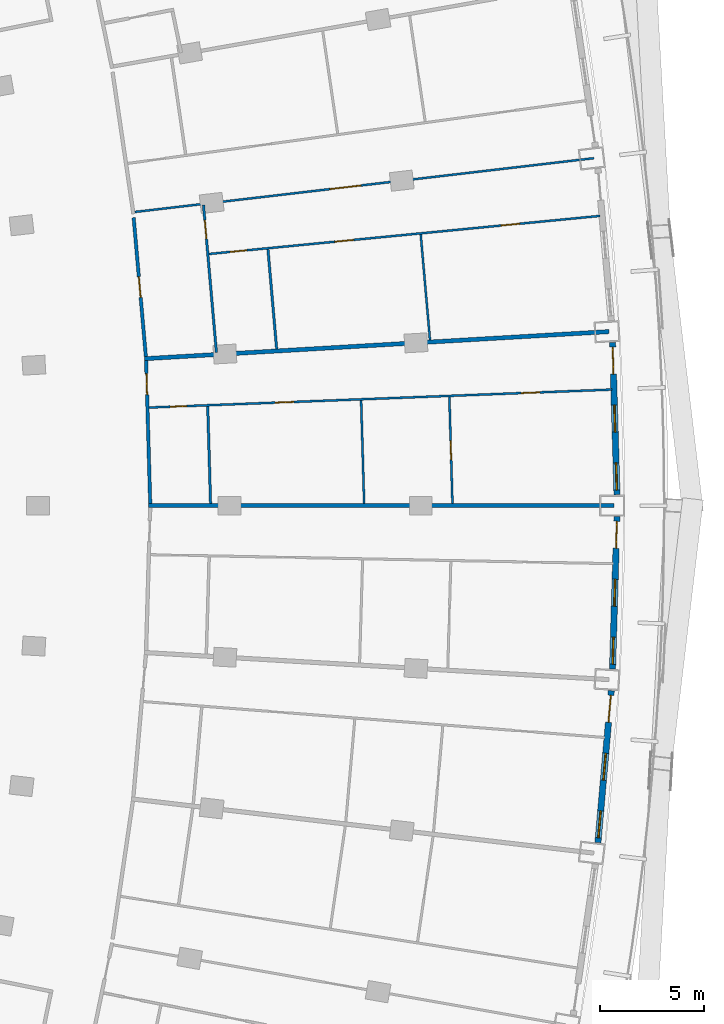
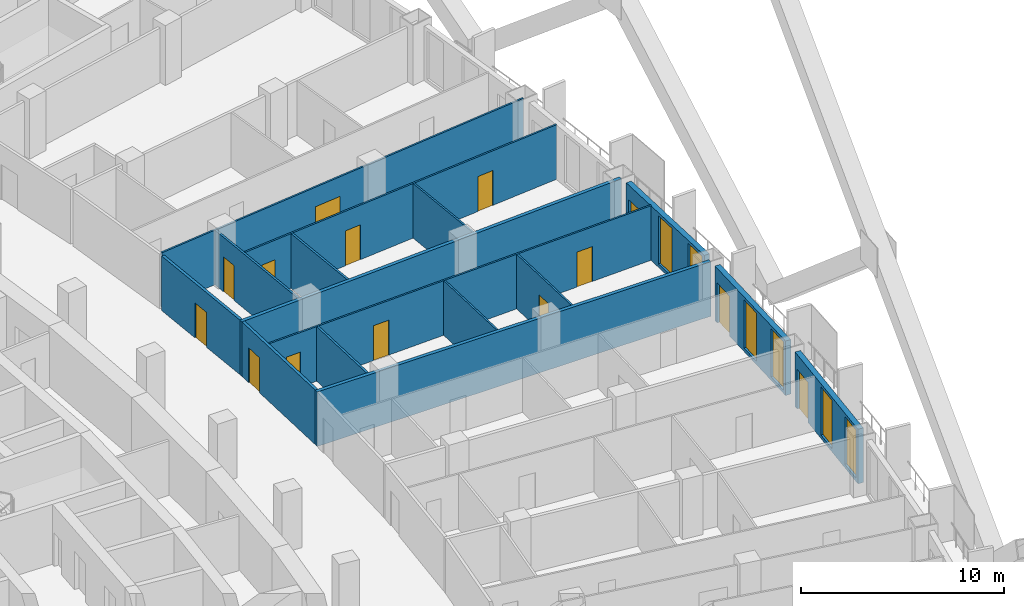
# One storey, part 18 of 25: 16 walls, 14 doors, 6 windows, 20 openings.
"""IFC4 building model written with IfcOpenShell, lengths in metres."""

from ifc_helpers import new_model, si_unit, direction, frame, frame_2d, origin, place, context, subcontext, project, spatial, rectangle, extrude, material, layer, layer_set, type_object, element, fill, save


model = new_model("IFC4")

# Units and contexts
model_context = context("Model", 3, precision=1e-05, world=origin(), true_north=direction((0.0, 1.0)))
body_context = subcontext(model_context, "Body", "Model", "MODEL_VIEW")
ifc_project = project(units=[si_unit("LENGTHUNIT", "METRE"), si_unit("AREAUNIT", "SQUARE_METRE"), si_unit("VOLUMEUNIT", "CUBIC_METRE"), si_unit("PLANEANGLEUNIT", "RADIAN"), si_unit("MASSUNIT", "GRAM", prefix="KILO")], contexts=[model_context])

# Site, building, storey
site_placement = place(None, origin())
site = spatial("IfcSite", under=ifc_project, at=site_placement, CompositionType="ELEMENT")
building_placement = place(site_placement, origin())
building = spatial("IfcBuilding", under=site, at=building_placement, Name="Alderwake Tower", CompositionType="ELEMENT")
storey_placement = place(building_placement, frame((0.0, 0.0, 32.0)))
storey = spatial("IfcBuildingStorey", under=building, at=storey_placement, Name="L06", CompositionType="ELEMENT", Elevation=32.0)

# Wall, opening, door
ifc_material_1 = material(Name="Gypsum board on metal studs, rated")
ifc_layer_1 = layer(ifc_material_1, 0.159912109375)
ifc_layer_set_1 = layer_set([ifc_layer_1], Name="Corridor wall 160")
wall_type_1 = type_object("IfcWallType", Name="Corridor wall 160", PredefinedType="PARTITIONING", material=ifc_layer_set_1)
wall_1_placement = place(storey_placement, frame((40.400390625, 74.84228515625, 0.0), z_axis=(0.0, 0.0, 1.0), x_axis=(0.087437661692, -0.996169993183, 0.0)))
wall_1 = element("IfcWall", 1, at=wall_1_placement, inside=storey, type_object=wall_type_1, Name="WL/L06/W40", PredefinedType="PARTITIONING", context=body_context, shape_type="SweptSolid", body=[
    extrude(rectangle(XDim=6.701171875, YDim=0.159912109375, at=frame_2d((3.3505859375, 0.0))), origin(), (0.0, 0.0, 1.0), 3.280029296875),
])
opening_1_placement = place(wall_1_placement, frame((2.8505859375, 0.0, 0.0)))
opening_1 = element("IfcOpeningElement", 2, at=opening_1_placement, cuts=wall_1, Name="Opening R01-U09.2", PredefinedType="OPENING", context=body_context, shape_type="SweptSolid", body=[
    extrude(rectangle(XDim=1.0, YDim=2.10009765625, at=frame_2d((0.5, 1.050048828125))), frame((0.0, 0.08984375, 0.0), z_axis=(0.0, -1.0, 0.0), x_axis=(1.0, 0.0, 0.0)), (0.0, 0.0, 1.0), 0.179931640625),
])
ifc_material_2 = material(Name="Solid timber leaf in steel frame", Category="steel")
door_type_1 = type_object("IfcDoorType", Name="Flat entrance door 1000 fire-rated", OperationType="SINGLE_SWING_LEFT", PredefinedType="DOOR", material=ifc_material_2)
door_1_placement = place(opening_1_placement, origin())
door_1 = element("IfcDoor", 3, at=door_1_placement, inside=storey, type_object=door_type_1, Name="DR/L06/U09.2", OperationType="SINGLE_SWING_LEFT", OverallHeight=2.10009765625, OverallWidth=1.0, PredefinedType="DOOR", context=body_context, shape_type="SweptSolid", body=[
    extrude(rectangle(XDim=1.0, YDim=2.10009765625, at=frame_2d((0.5, 1.050048828125))), frame((0.0, 0.02490234375, 0.0), z_axis=(0.0, -1.0, 0.0), x_axis=(1.0, 0.0, 0.0)), (0.0, 0.0, 1.0), 0.050048828125),
])
fill(opening_1, door_1)

wall_2_placement = place(storey_placement, frame((40.997802734375, 67.967041015625, 0.0), z_axis=(0.0, 0.0, 1.0), x_axis=(0.028852935833, -0.99958366738, 0.0)))
wall_2 = element("IfcWall", 4, at=wall_2_placement, inside=storey, type_object=wall_type_1, Name="WL/L06/W42", PredefinedType="PARTITIONING", context=body_context, shape_type="SweptSolid", body=[
    extrude(rectangle(XDim=6.870849609375, YDim=0.159912109375, at=frame_2d((3.435546875, 0.0))), origin(), (0.0, 0.0, 1.0), 3.280029296875),
])
opening_2_placement = place(wall_2_placement, frame((0.628662109375, 0.0, 0.0)))
opening_2 = element("IfcOpeningElement", 5, at=opening_2_placement, cuts=wall_2, Name="Opening R01-U08.3", PredefinedType="OPENING", context=body_context, shape_type="SweptSolid", body=[
    extrude(rectangle(XDim=1.0, YDim=2.10009765625, at=frame_2d((0.5, 1.050048828125))), frame((0.0, 0.08984375, 0.0), z_axis=(0.0, -1.0, 0.0), x_axis=(1.0, 0.0, 0.0)), (0.0, 0.0, 1.0), 0.179931640625),
])
door_2_placement = place(opening_2_placement, origin())
door_2 = element("IfcDoor", 6, at=door_2_placement, inside=storey, type_object=door_type_1, Name="DR/L06/U08.3", OperationType="SINGLE_SWING_LEFT", OverallHeight=2.10009765625, OverallWidth=1.0, PredefinedType="DOOR", context=body_context, shape_type="SweptSolid", body=[
    extrude(rectangle(XDim=1.0, YDim=2.10009765625, at=frame_2d((0.5, 1.050048828125))), frame((0.0, 0.02490234375, 0.0), z_axis=(0.0, -1.0, 0.0), x_axis=(1.0, 0.0, 0.0)), (0.0, 0.0, 1.0), 0.050048828125),
])
fill(opening_2, door_2)

# Wall, openings, door, windows
ifc_material_3 = material(Name="Precast concrete C50/60 spandrel panel", Category="concrete")
ifc_layer_2 = layer(ifc_material_3, 0.300048828125)
ifc_layer_set_2 = layer_set([ifc_layer_2], Name="External wall EW1 Precast concrete C50/60 spandrel")
wall_type_2 = type_object("IfcWallType", Name="External wall EW1 Precast concrete C50/60 spandrel", PredefinedType="SOLIDWALL", material=ifc_layer_set_2)
wall_3_placement = place(storey_placement, frame((62.71923828125, 44.801513671875, 0.0), z_axis=(0.0, 0.0, 1.0), x_axis=(0.08740868533, 0.996172536125, 0.0)))
wall_3 = element("IfcWall", 7, at=wall_3_placement, inside=storey, type_object=wall_type_2, Name="External wall 15", PredefinedType="SOLIDWALL", context=body_context, shape_type="SweptSolid", body=[
    extrude(rectangle(XDim=7.3291015625, YDim=0.300048828125, at=frame_2d((3.66455078125, 0.0))), origin(), (0.0, 0.0, 1.0), 3.280029296875),
])
opening_3_placement = place(wall_3_placement, frame((0.226806640625, 0.0, 0.199951171875)))
opening_3 = element("IfcOpeningElement", 8, at=opening_3_placement, cuts=wall_3, Name="Opening W1", PredefinedType="OPENING", context=body_context, shape_type="SweptSolid", body=[
    extrude(rectangle(XDim=1.300048828125, YDim=2.89990234375, at=frame_2d((0.64990234375, 1.449951171875))), frame((0.0, 0.159912109375, 0.0), z_axis=(0.0, -1.0, 0.0), x_axis=(1.0, 0.0, 0.0)), (0.0, 0.0, 1.0), 0.320068359375),
])
opening_4_placement = place(wall_3_placement, frame((3.0146484375, 0.0, 0.199951171875)))
opening_4 = element("IfcOpeningElement", 9, at=opening_4_placement, cuts=wall_3, Name="Opening W1", PredefinedType="OPENING", context=body_context, shape_type="SweptSolid", body=[
    extrude(rectangle(XDim=1.300048828125, YDim=2.89990234375, at=frame_2d((0.64990234375, 1.449951171875))), frame((0.0, 0.159912109375, 0.0), z_axis=(0.0, -1.0, 0.0), x_axis=(1.0, 0.0, 0.0)), (0.0, 0.0, 1.0), 0.320068359375),
])
opening_5_placement = place(wall_3_placement, frame((5.802490234375, 0.0, 0.0)))
opening_5 = element("IfcOpeningElement", 10, at=opening_5_placement, cuts=wall_3, Name="Opening D06", PredefinedType="OPENING", context=body_context, shape_type="SweptSolid", body=[
    extrude(rectangle(XDim=1.300048828125, YDim=2.39990234375, at=frame_2d((0.64990234375, 1.199951171875))), frame((0.0, 0.159912109375, 0.0), z_axis=(0.0, -1.0, 0.0), x_axis=(1.0, 0.0, 0.0)), (0.0, 0.0, 1.0), 0.320068359375),
])
ifc_material_4 = material(Name="Bronze tinted glass in aluminium frame", Category="aluminium")
door_type_2 = type_object("IfcDoorType", Name="Balcony door BD sliding", OperationType="SLIDING_TO_LEFT", PredefinedType="DOOR", material=ifc_material_4)
door_3_placement = place(opening_5_placement, origin())
door_3 = element("IfcDoor", 11, at=door_3_placement, inside=storey, type_object=door_type_2, Name="Door D06", OperationType="SLIDING_TO_LEFT", OverallHeight=2.39990234375, OverallWidth=1.300048828125, PredefinedType="DOOR", context=body_context, shape_type="SweptSolid", body=[
    extrude(rectangle(XDim=1.300048828125, YDim=2.39990234375, at=frame_2d((0.64990234375, 1.199951171875))), frame((0.0, 0.02490234375, 0.0), z_axis=(0.0, -1.0, 0.0), x_axis=(1.0, 0.0, 0.0)), (0.0, 0.0, 1.0), 0.050048828125),
])
fill(opening_5, door_3)
ifc_material_5 = material(Name="Bronze tinted glass in aluminium frame", Category="aluminium")
window_type = type_object("IfcWindowType", Name="Window W1 tall fixed and vent", PartitioningType="DOUBLE_PANEL_VERTICAL", PredefinedType="WINDOW", material=ifc_material_5)
window_1_placement = place(opening_3_placement, origin())
window_1 = element("IfcWindow", 12, at=window_1_placement, inside=storey, type_object=window_type, Name="Window W1 tall fixed and vent", OverallHeight=2.89990234375, OverallWidth=1.300048828125, PartitioningType="DOUBLE_PANEL_VERTICAL", PredefinedType="WINDOW", context=body_context, shape_type="SweptSolid", body=[
    extrude(rectangle(XDim=1.300048828125, YDim=2.89990234375, at=frame_2d((0.64990234375, 1.449951171875))), frame((0.0, 0.030029296875, 0.0), z_axis=(0.0, -1.0, 0.0), x_axis=(1.0, 0.0, 0.0)), (0.0, 0.0, 1.0), 0.06005859375),
])
fill(opening_3, window_1)
window_2_placement = place(opening_4_placement, origin())
window_2 = element("IfcWindow", 13, at=window_2_placement, inside=storey, type_object=window_type, Name="Window W1 tall fixed and vent", OverallHeight=2.89990234375, OverallWidth=1.300048828125, PartitioningType="DOUBLE_PANEL_VERTICAL", PredefinedType="WINDOW", context=body_context, shape_type="SweptSolid", body=[
    extrude(rectangle(XDim=1.300048828125, YDim=2.89990234375, at=frame_2d((0.64990234375, 1.449951171875))), frame((0.0, 0.030029296875, 0.0), z_axis=(0.0, -1.0, 0.0), x_axis=(1.0, 0.0, 0.0)), (0.0, 0.0, 1.0), 0.06005859375),
])
fill(opening_4, window_2)

wall_4_placement = place(storey_placement, frame((63.4208984375, 53.1494140625, 0.0), z_axis=(0.0, 0.0, 1.0), x_axis=(0.029179784763, 0.999574179419, 0.0)))
wall_4 = element("IfcWall", 14, at=wall_4_placement, inside=storey, type_object=wall_type_2, Name="External wall 16", PredefinedType="SOLIDWALL", context=body_context, shape_type="SweptSolid", body=[
    extrude(rectangle(XDim=7.329345703125, YDim=0.300048828125, at=frame_2d((3.66455078125, 0.0))), origin(), (0.0, 0.0, 1.0), 3.280029296875),
])
opening_6_placement = place(wall_4_placement, frame((0.226806640625, 0.0, 0.199951171875)))
opening_6 = element("IfcOpeningElement", 15, at=opening_6_placement, cuts=wall_4, Name="Opening W1", PredefinedType="OPENING", context=body_context, shape_type="SweptSolid", body=[
    extrude(rectangle(XDim=1.300048828125, YDim=2.89990234375, at=frame_2d((0.64990234375, 1.449951171875))), frame((0.0, 0.159912109375, 0.0), z_axis=(0.0, -1.0, 0.0), x_axis=(1.0, 0.0, 0.0)), (0.0, 0.0, 1.0), 0.320068359375),
])
opening_7_placement = place(wall_4_placement, frame((3.0146484375, 0.0, 0.199951171875)))
opening_7 = element("IfcOpeningElement", 16, at=opening_7_placement, cuts=wall_4, Name="Opening W1", PredefinedType="OPENING", context=body_context, shape_type="SweptSolid", body=[
    extrude(rectangle(XDim=1.300048828125, YDim=2.89990234375, at=frame_2d((0.64990234375, 1.449951171875))), frame((0.0, 0.159912109375, 0.0), z_axis=(0.0, -1.0, 0.0), x_axis=(1.0, 0.0, 0.0)), (0.0, 0.0, 1.0), 0.320068359375),
])
opening_8_placement = place(wall_4_placement, frame((5.802490234375, 0.0, 0.0)))
opening_8 = element("IfcOpeningElement", 17, at=opening_8_placement, cuts=wall_4, Name="Opening D07", PredefinedType="OPENING", context=body_context, shape_type="SweptSolid", body=[
    extrude(rectangle(XDim=1.300048828125, YDim=2.39990234375, at=frame_2d((0.64990234375, 1.199951171875))), frame((0.0, 0.159912109375, 0.0), z_axis=(0.0, -1.0, 0.0), x_axis=(1.0, 0.0, 0.0)), (0.0, 0.0, 1.0), 0.320068359375),
])
door_4_placement = place(opening_8_placement, origin())
door_4 = element("IfcDoor", 18, at=door_4_placement, inside=storey, type_object=door_type_2, Name="Door D07", OperationType="SLIDING_TO_LEFT", OverallHeight=2.39990234375, OverallWidth=1.300048828125, PredefinedType="DOOR", context=body_context, shape_type="SweptSolid", body=[
    extrude(rectangle(XDim=1.300048828125, YDim=2.39990234375, at=frame_2d((0.64990234375, 1.199951171875))), frame((0.0, 0.02490234375, 0.0), z_axis=(0.0, -1.0, 0.0), x_axis=(1.0, 0.0, 0.0)), (0.0, 0.0, 1.0), 0.050048828125),
])
fill(opening_8, door_4)
window_3_placement = place(opening_6_placement, origin())
window_3 = element("IfcWindow", 19, at=window_3_placement, inside=storey, type_object=window_type, Name="Window W1 tall fixed and vent", OverallHeight=2.89990234375, OverallWidth=1.300048828125, PartitioningType="DOUBLE_PANEL_VERTICAL", PredefinedType="WINDOW", context=body_context, shape_type="SweptSolid", body=[
    extrude(rectangle(XDim=1.300048828125, YDim=2.89990234375, at=frame_2d((0.64990234375, 1.449951171875))), frame((0.0, 0.030029296875, 0.0), z_axis=(0.0, -1.0, 0.0), x_axis=(1.0, 0.0, 0.0)), (0.0, 0.0, 1.0), 0.06005859375),
])
fill(opening_6, window_3)
window_4_placement = place(opening_7_placement, origin())
window_4 = element("IfcWindow", 20, at=window_4_placement, inside=storey, type_object=window_type, Name="Window W1 tall fixed and vent", OverallHeight=2.89990234375, OverallWidth=1.300048828125, PartitioningType="DOUBLE_PANEL_VERTICAL", PredefinedType="WINDOW", context=body_context, shape_type="SweptSolid", body=[
    extrude(rectangle(XDim=1.300048828125, YDim=2.89990234375, at=frame_2d((0.64990234375, 1.449951171875))), frame((0.0, 0.030029296875, 0.0), z_axis=(0.0, -1.0, 0.0), x_axis=(1.0, 0.0, 0.0)), (0.0, 0.0, 1.0), 0.06005859375),
])
fill(opening_7, window_4)

wall_5_placement = place(storey_placement, frame((63.634765625, 61.5244140625, 0.0), z_axis=(0.0, 0.0, 1.0), x_axis=(-0.029179784763, 0.999574179419, 0.0)))
wall_5 = element("IfcWall", 21, at=wall_5_placement, inside=storey, type_object=wall_type_2, Name="External wall 17", PredefinedType="SOLIDWALL", context=body_context, shape_type="SweptSolid", body=[
    extrude(rectangle(XDim=7.329345703125, YDim=0.300048828125, at=frame_2d((3.66455078125, 0.0))), origin(), (0.0, 0.0, 1.0), 3.280029296875),
])
opening_9_placement = place(wall_5_placement, frame((0.226806640625, 0.0, 0.199951171875)))
opening_9 = element("IfcOpeningElement", 22, at=opening_9_placement, cuts=wall_5, Name="Opening W1", PredefinedType="OPENING", context=body_context, shape_type="SweptSolid", body=[
    extrude(rectangle(XDim=1.300048828125, YDim=2.89990234375, at=frame_2d((0.64990234375, 1.449951171875))), frame((0.0, 0.159912109375, 0.0), z_axis=(0.0, -1.0, 0.0), x_axis=(1.0, 0.0, 0.0)), (0.0, 0.0, 1.0), 0.320068359375),
])
opening_10_placement = place(wall_5_placement, frame((3.0146484375, 0.0, 0.199951171875)))
opening_10 = element("IfcOpeningElement", 23, at=opening_10_placement, cuts=wall_5, Name="Opening W1", PredefinedType="OPENING", context=body_context, shape_type="SweptSolid", body=[
    extrude(rectangle(XDim=1.300048828125, YDim=2.89990234375, at=frame_2d((0.64990234375, 1.449951171875))), frame((0.0, 0.159912109375, 0.0), z_axis=(0.0, -1.0, 0.0), x_axis=(1.0, 0.0, 0.0)), (0.0, 0.0, 1.0), 0.320068359375),
])
opening_11_placement = place(wall_5_placement, frame((5.802490234375, 0.0, 0.0)))
opening_11 = element("IfcOpeningElement", 24, at=opening_11_placement, cuts=wall_5, Name="Opening D08", PredefinedType="OPENING", context=body_context, shape_type="SweptSolid", body=[
    extrude(rectangle(XDim=1.300048828125, YDim=2.39990234375, at=frame_2d((0.64990234375, 1.199951171875))), frame((0.0, 0.159912109375, 0.0), z_axis=(0.0, -1.0, 0.0), x_axis=(1.0, 0.0, 0.0)), (0.0, 0.0, 1.0), 0.320068359375),
])
door_5_placement = place(opening_11_placement, origin())
door_5 = element("IfcDoor", 25, at=door_5_placement, inside=storey, type_object=door_type_2, Name="Door D08", OperationType="SLIDING_TO_LEFT", OverallHeight=2.39990234375, OverallWidth=1.300048828125, PredefinedType="DOOR", context=body_context, shape_type="SweptSolid", body=[
    extrude(rectangle(XDim=1.300048828125, YDim=2.39990234375, at=frame_2d((0.64990234375, 1.199951171875))), frame((0.0, 0.02490234375, 0.0), z_axis=(0.0, -1.0, 0.0), x_axis=(1.0, 0.0, 0.0)), (0.0, 0.0, 1.0), 0.050048828125),
])
fill(opening_11, door_5)
window_5_placement = place(opening_9_placement, origin())
window_5 = element("IfcWindow", 26, at=window_5_placement, inside=storey, type_object=window_type, Name="Window W1 tall fixed and vent", OverallHeight=2.89990234375, OverallWidth=1.300048828125, PartitioningType="DOUBLE_PANEL_VERTICAL", PredefinedType="WINDOW", context=body_context, shape_type="SweptSolid", body=[
    extrude(rectangle(XDim=1.300048828125, YDim=2.89990234375, at=frame_2d((0.64990234375, 1.449951171875))), frame((0.0, 0.030029296875, 0.0), z_axis=(0.0, -1.0, 0.0), x_axis=(1.0, 0.0, 0.0)), (0.0, 0.0, 1.0), 0.06005859375),
])
fill(opening_9, window_5)
window_6_placement = place(opening_10_placement, origin())
window_6 = element("IfcWindow", 27, at=window_6_placement, inside=storey, type_object=window_type, Name="Window W1 tall fixed and vent", OverallHeight=2.89990234375, OverallWidth=1.300048828125, PartitioningType="DOUBLE_PANEL_VERTICAL", PredefinedType="WINDOW", context=body_context, shape_type="SweptSolid", body=[
    extrude(rectangle(XDim=1.300048828125, YDim=2.89990234375, at=frame_2d((0.64990234375, 1.449951171875))), frame((0.0, 0.030029296875, 0.0), z_axis=(0.0, -1.0, 0.0), x_axis=(1.0, 0.0, 0.0)), (0.0, 0.0, 1.0), 0.06005859375),
])
fill(opening_10, window_6)

# Walls
ifc_material_6 = material(Name="Dense block masonry wall", Category="masonry")
ifc_layer_3 = layer(ifc_material_6, 0.199951171875)
ifc_layer_set_3 = layer_set([ifc_layer_3], Name="Party wall 200")
wall_type_3 = type_object("IfcWallType", Name="Party wall 200", PredefinedType="SOLIDWALL", material=ifc_layer_set_3)
wall_6_placement = place(storey_placement, frame((63.2548828125, 69.365966796875, 0.0), z_axis=(0.0, 0.0, 1.0), x_axis=(-0.998301502975, -0.058258983497, 0.0)))
element("IfcWall", 28, at=wall_6_placement, inside=storey, type_object=wall_type_3, Name="WL/L06/W10", PredefinedType="SOLIDWALL", context=body_context, shape_type="SweptSolid", body=[
    extrude(rectangle(XDim=22.3779296875, YDim=0.199951171875, at=frame_2d((11.18896484375, 0.0))), origin(), (0.0, 0.0, 1.0), 3.280029296875),
])
wall_7_placement = place(storey_placement, frame((63.5009765625, 60.9990234375, 0.0), z_axis=(0.0, 0.0, 1.0), x_axis=(-1.0, 0.0, 0.0)))
element("IfcWall", 29, at=wall_7_placement, inside=storey, type_object=wall_type_3, Name="WL/L06/W11", PredefinedType="SOLIDWALL", context=body_context, shape_type="SweptSolid", body=[
    extrude(rectangle(XDim=22.382080078125, YDim=0.199951171875, at=frame_2d((11.19091796875, 0.0))), origin(), (0.0, 0.0, 1.0), 3.280029296875),
])

# Wall, opening, door
ifc_material_7 = material(Name="Gypsum board on metal studs")
ifc_layer_4 = layer(ifc_material_7, 0.10009765625)
ifc_layer_set_4 = layer_set([ifc_layer_4], Name="Unit partition 100")
wall_type_4 = type_object("IfcWallType", Name="Unit partition 100", PredefinedType="PARTITIONING", material=ifc_layer_set_4)
wall_8_placement = place(storey_placement, frame((40.45654296875, 75.1171875, 0.0), z_axis=(0.0, 0.0, 1.0), x_axis=(0.993204578948, 0.116381546464, 0.0)))
wall_8 = element("IfcWall", 30, at=wall_8_placement, inside=storey, type_object=wall_type_4, Name="WL/L06/W69", PredefinedType="PARTITIONING", context=body_context, shape_type="SweptSolid", body=[
    extrude(rectangle(XDim=22.21728515625, YDim=0.10009765625, at=frame_2d((11.108642578125, 0.0))), origin(), (0.0, 0.0, 1.0), 3.280029296875),
])
opening_12_placement = place(wall_8_placement, frame((9.4443359375, 0.0, 0.0)))
opening_12 = element("IfcOpeningElement", 31, at=opening_12_placement, cuts=wall_8, Name="Opening R01-U09.10", PredefinedType="OPENING", context=body_context, shape_type="SweptSolid", body=[
    extrude(rectangle(XDim=1.5, YDim=2.10009765625, at=frame_2d((0.75, 1.050048828125))), frame((0.0, 0.06005859375, 0.0), z_axis=(0.0, -1.0, 0.0), x_axis=(1.0, 0.0, 0.0)), (0.0, 0.0, 1.0), 0.1201171875),
])
ifc_material_8 = material(Name="Painted timber leaves", Category="wood")
door_type_3 = type_object("IfcDoorType", Name="Double leaf door 1500", OperationType="DOUBLE_DOOR_SINGLE_SWING", PredefinedType="DOOR", material=ifc_material_8)
door_6_placement = place(opening_12_placement, origin())
door_6 = element("IfcDoor", 32, at=door_6_placement, inside=storey, type_object=door_type_3, Name="DR/L06/U09.10", OperationType="DOUBLE_DOOR_SINGLE_SWING", OverallHeight=2.10009765625, OverallWidth=1.5, PredefinedType="DOOR", context=body_context, shape_type="SweptSolid", body=[
    extrude(rectangle(XDim=1.5, YDim=2.10009765625, at=frame_2d((0.75, 1.050048828125))), frame((0.0, 0.02490234375, 0.0), z_axis=(0.0, -1.0, 0.0), x_axis=(1.0, 0.0, 0.0)), (0.0, 0.0, 1.0), 0.050048828125),
])
fill(opening_12, door_6)

# Wall, openings, doors
wall_9_placement = place(storey_placement, frame((63.386962890625, 66.5791015625, 0.0), z_axis=(0.0, 0.0, 1.0), x_axis=(-0.999246424142, -0.0388147374, 0.0)))
wall_9 = element("IfcWall", 33, at=wall_9_placement, inside=storey, type_object=wall_type_4, Name="WL/L06/W71", PredefinedType="PARTITIONING", context=body_context, shape_type="SweptSolid", body=[
    extrude(rectangle(XDim=22.260009765625, YDim=0.10009765625, at=frame_2d((11.1298828125, 0.0))), origin(), (0.0, 0.0, 1.0), 3.280029296875),
])
opening_13_placement = place(wall_9_placement, frame((15.30224609375, 0.0, 0.0)))
opening_13 = element("IfcOpeningElement", 34, at=opening_13_placement, cuts=wall_9, Name="Opening R01-U08.1", PredefinedType="OPENING", context=body_context, shape_type="SweptSolid", body=[
    extrude(rectangle(XDim=0.89990234375, YDim=2.10009765625, at=frame_2d((0.449951171875, 1.050048828125))), frame((0.0, 0.06005859375, 0.0), z_axis=(0.0, -1.0, 0.0), x_axis=(1.0, 0.0, 0.0)), (0.0, 0.0, 1.0), 0.1201171875),
])
opening_14_placement = place(wall_9_placement, frame((20.451171875, 0.0, 0.0)))
opening_14 = element("IfcOpeningElement", 35, at=opening_14_placement, cuts=wall_9, Name="Opening R01-U08.4", PredefinedType="OPENING", context=body_context, shape_type="SweptSolid", body=[
    extrude(rectangle(XDim=0.800048828125, YDim=2.10009765625, at=frame_2d((0.39990234375, 1.050048828125))), frame((0.0, 0.06005859375, 0.0), z_axis=(0.0, -1.0, 0.0), x_axis=(1.0, 0.0, 0.0)), (0.0, 0.0, 1.0), 0.1201171875),
])
opening_15_placement = place(wall_9_placement, frame((3.459228515625, 0.0, 0.0)))
opening_15 = element("IfcOpeningElement", 36, at=opening_15_placement, cuts=wall_9, Name="Opening R01-U08.5", PredefinedType="OPENING", context=body_context, shape_type="SweptSolid", body=[
    extrude(rectangle(XDim=0.89990234375, YDim=2.10009765625, at=frame_2d((0.449951171875, 1.050048828125))), frame((0.0, 0.06005859375, 0.0), z_axis=(0.0, -1.0, 0.0), x_axis=(1.0, 0.0, 0.0)), (0.0, 0.0, 1.0), 0.1201171875),
])
ifc_material_9 = material(Name="Painted timber leaf", Category="wood")
door_type_4 = type_object("IfcDoorType", Name="Bathroom door 800", OperationType="SINGLE_SWING_LEFT", PredefinedType="DOOR", material=ifc_material_9)
door_7_placement = place(opening_14_placement, origin())
door_7 = element("IfcDoor", 37, at=door_7_placement, inside=storey, type_object=door_type_4, Name="DR/L06/U08.4", OperationType="SINGLE_SWING_LEFT", OverallHeight=2.10009765625, OverallWidth=0.800048828125, PredefinedType="DOOR", context=body_context, shape_type="SweptSolid", body=[
    extrude(rectangle(XDim=0.800048828125, YDim=2.10009765625, at=frame_2d((0.39990234375, 1.050048828125))), frame((0.0, 0.02490234375, 0.0), z_axis=(0.0, -1.0, 0.0), x_axis=(1.0, 0.0, 0.0)), (0.0, 0.0, 1.0), 0.050048828125),
])
fill(opening_14, door_7)
ifc_material_10 = material(Name="Painted timber leaf", Category="wood")
door_type_5 = type_object("IfcDoorType", Name="Room door 900", OperationType="SINGLE_SWING_LEFT", PredefinedType="DOOR", material=ifc_material_10)
door_8_placement = place(opening_13_placement, origin())
door_8 = element("IfcDoor", 38, at=door_8_placement, inside=storey, type_object=door_type_5, Name="DR/L06/U08.1", OperationType="SINGLE_SWING_LEFT", OverallHeight=2.10009765625, OverallWidth=0.89990234375, PredefinedType="DOOR", context=body_context, shape_type="SweptSolid", body=[
    extrude(rectangle(XDim=0.89990234375, YDim=2.10009765625, at=frame_2d((0.449951171875, 1.050048828125))), frame((0.0, 0.02490234375, 0.0), z_axis=(0.0, -1.0, 0.0), x_axis=(1.0, 0.0, 0.0)), (0.0, 0.0, 1.0), 0.050048828125),
])
fill(opening_13, door_8)
door_9_placement = place(opening_15_placement, origin())
door_9 = element("IfcDoor", 39, at=door_9_placement, inside=storey, type_object=door_type_5, Name="DR/L06/U08.5", OperationType="SINGLE_SWING_LEFT", OverallHeight=2.10009765625, OverallWidth=0.89990234375, PredefinedType="DOOR", context=body_context, shape_type="SweptSolid", body=[
    extrude(rectangle(XDim=0.89990234375, YDim=2.10009765625, at=frame_2d((0.449951171875, 1.050048828125))), frame((0.0, 0.02490234375, 0.0), z_axis=(0.0, -1.0, 0.0), x_axis=(1.0, 0.0, 0.0)), (0.0, 0.0, 1.0), 0.050048828125),
])
fill(opening_15, door_9)

wall_10_placement = place(storey_placement, frame((62.820068359375, 74.927978515625, 0.0), z_axis=(0.0, 0.0, 1.0), x_axis=(-0.995293143485, -0.096910053822, 0.0)))
wall_10 = element("IfcWall", 40, at=wall_10_placement, inside=storey, type_object=wall_type_4, Name="WL/L06/W73", PredefinedType="PARTITIONING", context=body_context, shape_type="SweptSolid", body=[
    extrude(rectangle(XDim=18.88427734375, YDim=0.10009765625, at=frame_2d((9.442138671875, 0.0))), origin(), (0.0, 0.0, 1.0), 3.280029296875),
])
opening_16_placement = place(wall_10_placement, frame((11.905517578125, 0.0, 0.0)))
opening_16 = element("IfcOpeningElement", 41, at=opening_16_placement, cuts=wall_10, Name="Opening R01-U09.1", PredefinedType="OPENING", context=body_context, shape_type="SweptSolid", body=[
    extrude(rectangle(XDim=0.89990234375, YDim=2.10009765625, at=frame_2d((0.449951171875, 1.050048828125))), frame((0.0, 0.06005859375, 0.0), z_axis=(0.0, -1.0, 0.0), x_axis=(1.0, 0.0, 0.0)), (0.0, 0.0, 1.0), 0.1201171875),
])
opening_17_placement = place(wall_10_placement, frame((17.06494140625, 0.0, 0.0)))
opening_17 = element("IfcOpeningElement", 42, at=opening_17_placement, cuts=wall_10, Name="Opening R01-U09.4", PredefinedType="OPENING", context=body_context, shape_type="SweptSolid", body=[
    extrude(rectangle(XDim=0.800048828125, YDim=2.10009765625, at=frame_2d((0.39990234375, 1.050048828125))), frame((0.0, 0.06005859375, 0.0), z_axis=(0.0, -1.0, 0.0), x_axis=(1.0, 0.0, 0.0)), (0.0, 0.0, 1.0), 0.1201171875),
])
opening_18_placement = place(wall_10_placement, frame((3.88330078125, 0.0, 0.0)))
opening_18 = element("IfcOpeningElement", 43, at=opening_18_placement, cuts=wall_10, Name="Opening R01-U09.5", PredefinedType="OPENING", context=body_context, shape_type="SweptSolid", body=[
    extrude(rectangle(XDim=0.89990234375, YDim=2.10009765625, at=frame_2d((0.449951171875, 1.050048828125))), frame((0.0, 0.06005859375, 0.0), z_axis=(0.0, -1.0, 0.0), x_axis=(1.0, 0.0, 0.0)), (0.0, 0.0, 1.0), 0.1201171875),
])
door_10_placement = place(opening_17_placement, origin())
door_10 = element("IfcDoor", 44, at=door_10_placement, inside=storey, type_object=door_type_4, Name="DR/L06/U09.4", OperationType="SINGLE_SWING_LEFT", OverallHeight=2.10009765625, OverallWidth=0.800048828125, PredefinedType="DOOR", context=body_context, shape_type="SweptSolid", body=[
    extrude(rectangle(XDim=0.800048828125, YDim=2.10009765625, at=frame_2d((0.39990234375, 1.050048828125))), frame((0.0, 0.02490234375, 0.0), z_axis=(0.0, -1.0, 0.0), x_axis=(1.0, 0.0, 0.0)), (0.0, 0.0, 1.0), 0.050048828125),
])
fill(opening_17, door_10)
door_11_placement = place(opening_16_placement, origin())
door_11 = element("IfcDoor", 45, at=door_11_placement, inside=storey, type_object=door_type_5, Name="DR/L06/U09.1", OperationType="SINGLE_SWING_LEFT", OverallHeight=2.10009765625, OverallWidth=0.89990234375, PredefinedType="DOOR", context=body_context, shape_type="SweptSolid", body=[
    extrude(rectangle(XDim=0.89990234375, YDim=2.10009765625, at=frame_2d((0.449951171875, 1.050048828125))), frame((0.0, 0.02490234375, 0.0), z_axis=(0.0, -1.0, 0.0), x_axis=(1.0, 0.0, 0.0)), (0.0, 0.0, 1.0), 0.050048828125),
])
fill(opening_16, door_11)
door_12_placement = place(opening_18_placement, origin())
door_12 = element("IfcDoor", 46, at=door_12_placement, inside=storey, type_object=door_type_5, Name="DR/L06/U09.5", OperationType="SINGLE_SWING_LEFT", OverallHeight=2.10009765625, OverallWidth=0.89990234375, PredefinedType="DOOR", context=body_context, shape_type="SweptSolid", body=[
    extrude(rectangle(XDim=0.89990234375, YDim=2.10009765625, at=frame_2d((0.449951171875, 1.050048828125))), frame((0.0, 0.02490234375, 0.0), z_axis=(0.0, -1.0, 0.0), x_axis=(1.0, 0.0, 0.0)), (0.0, 0.0, 1.0), 0.050048828125),
])
fill(opening_18, door_12)

# Walls
wall_11_placement = place(storey_placement, frame((51.47998046875, 61.09912109375, 0.0), z_axis=(0.0, 0.0, 1.0), x_axis=(-0.029312335146, 0.999570301184, 0.0)))
element("IfcWall", 47, at=wall_11_placement, inside=storey, type_object=wall_type_4, Name="WL/L06/W83", PredefinedType="PARTITIONING", context=body_context, shape_type="SweptSolid", body=[
    extrude(rectangle(XDim=4.964111328125, YDim=0.10009765625, at=frame_2d((2.48193359375, 0.0))), origin(), (0.0, 0.0, 1.0), 3.280029296875),
])
wall_12_placement = place(storey_placement, frame((54.645263671875, 68.964599609375, 0.0), z_axis=(0.0, 0.0, 1.0), x_axis=(-0.087531464567, 0.996161755294, 0.0)))
element("IfcWall", 48, at=wall_12_placement, inside=storey, type_object=wall_type_4, Name="WL/L06/W87", PredefinedType="PARTITIONING", context=body_context, shape_type="SweptSolid", body=[
    extrude(rectangle(XDim=5.093017578125, YDim=0.10009765625, at=frame_2d((2.54638671875, 0.0))), origin(), (0.0, 0.0, 1.0), 3.280029296875),
])

# Wall, opening, door
wall_13_placement = place(storey_placement, frame((55.72509765625, 61.09912109375, 0.0), z_axis=(0.0, 0.0, 1.0), x_axis=(-0.028987813186, 0.999579765045, 0.0)))
wall_13 = element("IfcWall", 49, at=wall_13_placement, inside=storey, type_object=wall_type_4, Name="WL/L06/W90", PredefinedType="PARTITIONING", context=body_context, shape_type="SweptSolid", body=[
    extrude(rectangle(XDim=5.129150390625, YDim=0.10009765625, at=frame_2d((2.564453125, 0.0))), origin(), (0.0, 0.0, 1.0), 3.280029296875),
])
opening_19_placement = place(wall_13_placement, frame((2.114501953125, 0.0, 0.0)))
opening_19 = element("IfcOpeningElement", 50, at=opening_19_placement, cuts=wall_13, Name="Opening R01-U08.2", PredefinedType="OPENING", context=body_context, shape_type="SweptSolid", body=[
    extrude(rectangle(XDim=0.89990234375, YDim=2.10009765625, at=frame_2d((0.449951171875, 1.050048828125))), frame((0.0, 0.06005859375, 0.0), z_axis=(0.0, -1.0, 0.0), x_axis=(1.0, 0.0, 0.0)), (0.0, 0.0, 1.0), 0.1201171875),
])
door_13_placement = place(opening_19_placement, origin())
door_13 = element("IfcDoor", 51, at=door_13_placement, inside=storey, type_object=door_type_5, Name="DR/L06/U08.2", OperationType="SINGLE_SWING_LEFT", OverallHeight=2.10009765625, OverallWidth=0.89990234375, PredefinedType="DOOR", context=body_context, shape_type="SweptSolid", body=[
    extrude(rectangle(XDim=0.89990234375, YDim=2.10009765625, at=frame_2d((0.449951171875, 1.050048828125))), frame((0.0, 0.02490234375, 0.0), z_axis=(0.0, -1.0, 0.0), x_axis=(1.0, 0.0, 0.0)), (0.0, 0.0, 1.0), 0.050048828125),
])
fill(opening_19, door_13)

ifc_material_11 = material(Name="Moisture resistant gypsum board on metal studs")
ifc_layer_5 = layer(ifc_material_11, 0.1201171875)
ifc_layer_set_5 = layer_set([ifc_layer_5], Name="Wet room partition 120")
wall_type_5 = type_object("IfcWallType", Name="Wet room partition 120", PredefinedType="PARTITIONING", material=ifc_layer_set_5)
wall_14_placement = place(storey_placement, frame((43.75634765625, 75.4541015625, 0.0), z_axis=(0.0, 0.0, 1.0), x_axis=(0.087513351383, -0.996163346711, 0.0)))
wall_14 = element("IfcWall", 52, at=wall_14_placement, inside=storey, type_object=wall_type_5, Name="WL/L06/W60", PredefinedType="PARTITIONING", context=body_context, shape_type="SweptSolid", body=[
    extrude(rectangle(XDim=7.11669921875, YDim=0.1201171875, at=frame_2d((3.558349609375, 0.0))), origin(), (0.0, 0.0, 1.0), 3.280029296875),
])
opening_20_placement = place(wall_14_placement, frame((0.736328125, 0.0, 0.0)))
opening_20 = element("IfcOpeningElement", 53, at=opening_20_placement, cuts=wall_14, Name="Opening R01-U09.3", PredefinedType="OPENING", context=body_context, shape_type="SweptSolid", body=[
    extrude(rectangle(XDim=0.89990234375, YDim=2.10009765625, at=frame_2d((0.449951171875, 1.050048828125))), frame((0.0, 0.070068359375, 0.0), z_axis=(0.0, -1.0, 0.0), x_axis=(1.0, 0.0, 0.0)), (0.0, 0.0, 1.0), 0.14013671875),
])
door_14_placement = place(opening_20_placement, origin())
door_14 = element("IfcDoor", 54, at=door_14_placement, inside=storey, type_object=door_type_5, Name="DR/L06/U09.3", OperationType="SINGLE_SWING_LEFT", OverallHeight=2.10009765625, OverallWidth=0.89990234375, PredefinedType="DOOR", context=body_context, shape_type="SweptSolid", body=[
    extrude(rectangle(XDim=0.89990234375, YDim=2.10009765625, at=frame_2d((0.449951171875, 1.050048828125))), frame((0.0, 0.02490234375, 0.0), z_axis=(0.0, -1.0, 0.0), x_axis=(1.0, 0.0, 0.0)), (0.0, 0.0, 1.0), 0.050048828125),
])
fill(opening_20, door_14)

# Walls
wall_15_placement = place(storey_placement, frame((44.09716796875, 61.09912109375, 0.0), z_axis=(0.0, 0.0, 1.0), x_axis=(-0.029239477833, 0.999572435062, 0.0)))
element("IfcWall", 55, at=wall_15_placement, inside=storey, type_object=wall_type_5, Name="WL/L06/W62", PredefinedType="PARTITIONING", context=body_context, shape_type="SweptSolid", body=[
    extrude(rectangle(XDim=4.67578125, YDim=0.1201171875, at=frame_2d((2.337890625, 0.0))), origin(), (0.0, 0.0, 1.0), 3.280029296875),
])
wall_16_placement = place(storey_placement, frame((47.2744140625, 68.53271484375, 0.0), z_axis=(0.0, 0.0, 1.0), x_axis=(-0.087155609358, 0.996194709762, 0.0)))
element("IfcWall", 56, at=wall_16_placement, inside=storey, type_object=wall_type_5, Name="WL/L06/W65", PredefinedType="PARTITIONING", context=body_context, shape_type="SweptSolid", body=[
    extrude(rectangle(XDim=4.806884765625, YDim=0.1201171875, at=frame_2d((2.4033203125, 0.0))), origin(), (0.0, 0.0, 1.0), 3.280029296875),
])

save(model, "model.ifc")
